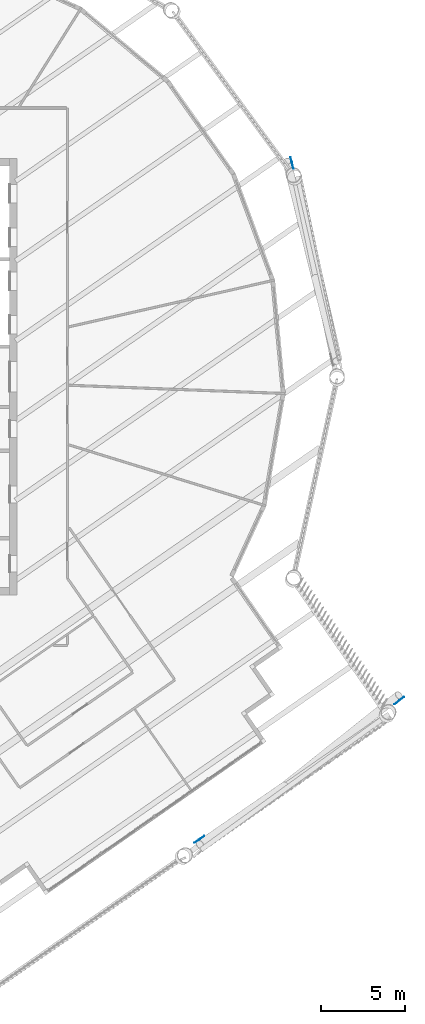
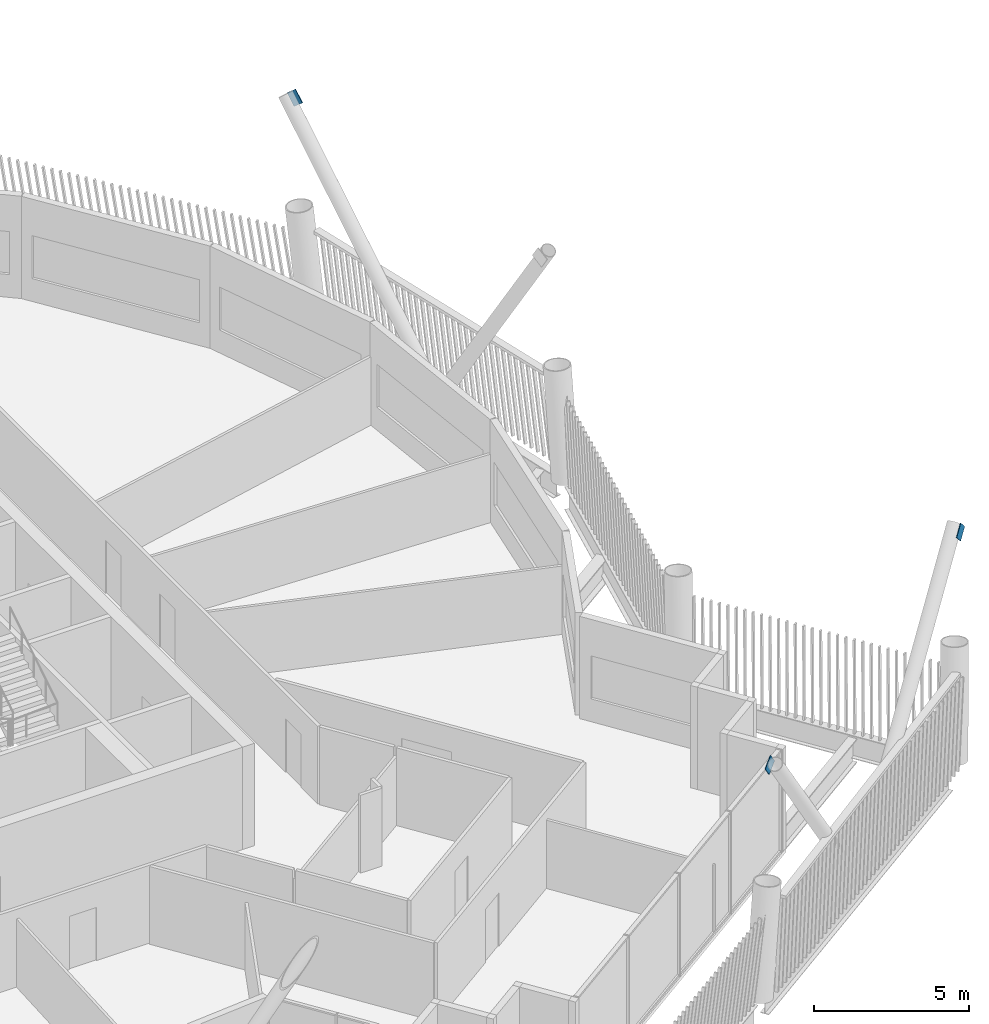
# One storey, part 22 of 33: 3 discrete accessories.
"""IFC4 building model written with IfcOpenShell, lengths in metres."""

from ifc_helpers import new_model, si_unit, direction, frame, origin, origin_2d, place, context, subcontext, project, spatial, rectangle, extrude, material, material_profile, profile_set, type_object, element, save


model = new_model("IFC4")

# Units and contexts
model_context = context("Model", 3, precision=1e-05, world=origin(), true_north=direction((0.0, 1.0)))
body_context = subcontext(model_context, "Body", "Model", "MODEL_VIEW")
ifc_project = project(units=[si_unit("LENGTHUNIT", "METRE"), si_unit("AREAUNIT", "SQUARE_METRE"), si_unit("VOLUMEUNIT", "CUBIC_METRE"), si_unit("PLANEANGLEUNIT", "RADIAN"), si_unit("MASSUNIT", "GRAM", prefix="KILO")], contexts=[model_context])

# Site, building, storey
site_placement = place(None, origin())
site = spatial("IfcSite", under=ifc_project, at=site_placement, CompositionType="ELEMENT")
building_placement = place(site_placement, origin())
building = spatial("IfcBuilding", under=site, at=building_placement, Name="Tarsis Ring Headquarters", CompositionType="ELEMENT")
storey_placement = place(building_placement, frame((0.0, 0.0, 369.199951171875)))
storey = spatial("IfcBuildingStorey", under=building, at=storey_placement, Name="L87", CompositionType="ELEMENT", Elevation=369.199951171875)

# Discrete accessories
ifc_material = material(Name="Structural steel S355", Category="steel")
ifc_material_profile = material_profile(ifc_material, rectangle(XDim=0.02490234375, YDim=0.5, at=origin_2d()), Name="PL 25x500")
ifc_profile_set = profile_set([ifc_material_profile], Name="Structural steel S355")
discrete_accessory_type = type_object("IfcDiscreteAccessoryType", Name="Gusset plate Exo brace 25", PredefinedType="BRACKET", material=ifc_profile_set)
for number, where, z_axis, x_axis, name in (
    (1, (32.88916015625, -19.162841796875, 8.400146484375), (-0.56199979366, -0.447256134659, -0.695786017347), (0.62270334021, -0.782458018102, 0.0), "Gusset plate GP5"),
    (2, (20.733642578125, -27.616943359375, 8.400146484375), (0.485722142042, 0.334879788383, -0.807421530591), (-0.567616936621, 0.823292787082, 0.0), "Gusset plate GP5"),
    (3, (26.323974609375, 12.88671875, 8.400146484375), (0.155295246917, -0.629482934829, -0.761337389758), (0.970891034412, 0.239521605076, 0.0), "Gusset plate GP5"),
):
    element("IfcDiscreteAccessory", number, at=place(storey_placement, frame(where, z_axis=z_axis, x_axis=x_axis)), inside=storey, type_object=discrete_accessory_type, Name=name, PredefinedType="BRACKET", context=body_context, shape_type="SweptSolid", body=[
        extrude(rectangle(XDim=0.02490234375, YDim=0.5, at=origin_2d()), origin(), (0.0, 0.0, 1.0), 0.5),
    ])

save(model, "model.ifc")
